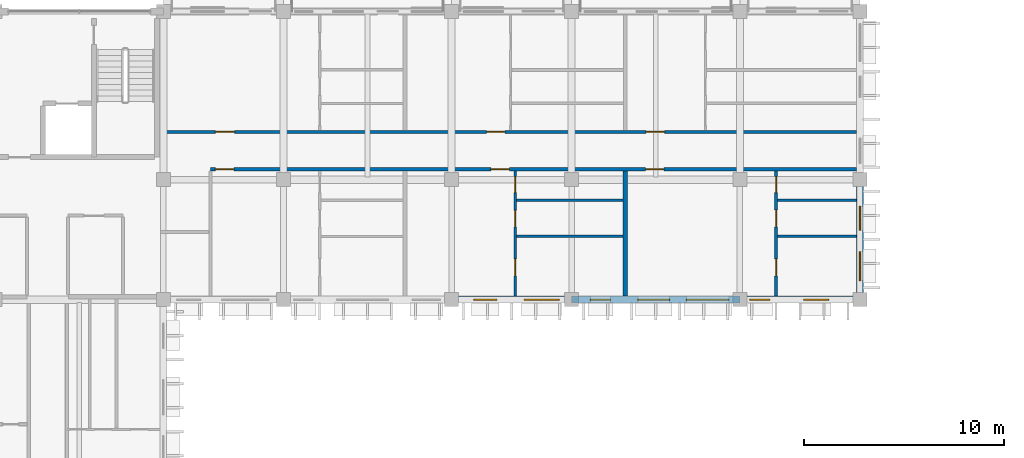
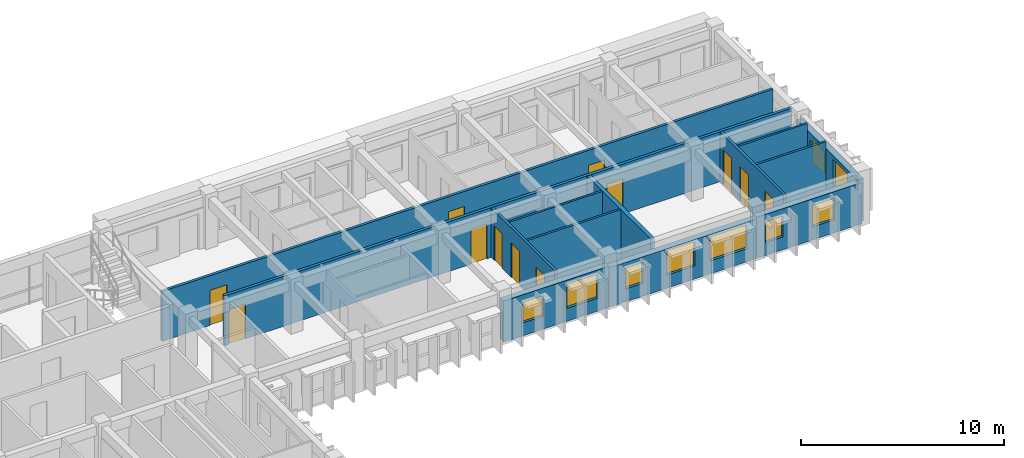
# One storey, part 25 of 70: 13 walls, 12 doors, 9 windows, 21 openings.
"""IFC4 building model written with IfcOpenShell, lengths in metres."""

from ifc_helpers import new_model, si_unit, direction, frame, frame_2d, origin, place, context, subcontext, project, spatial, rectangle, extrude, material, layer, layer_set, type_object, element, fill, save


model = new_model("IFC4")

# Units and contexts
model_context = context("Model", 3, precision=1e-05, world=origin(), true_north=direction((0.0, 1.0)))
body_context = subcontext(model_context, "Body", "Model", "MODEL_VIEW")
ifc_project = project(units=[si_unit("LENGTHUNIT", "METRE"), si_unit("AREAUNIT", "SQUARE_METRE"), si_unit("VOLUMEUNIT", "CUBIC_METRE"), si_unit("PLANEANGLEUNIT", "RADIAN"), si_unit("MASSUNIT", "GRAM", prefix="KILO"), si_unit("THERMODYNAMICTEMPERATUREUNIT", "KELVIN")], contexts=[model_context])

# Site, building, storey
site_placement = place(None, origin())
site = spatial("IfcSite", under=ifc_project, at=site_placement, CompositionType="ELEMENT")
building_placement = place(site_placement, origin())
building = spatial("IfcBuilding", under=site, at=building_placement, Name="Thalorik Housing Commons", CompositionType="ELEMENT")
storey_placement = place(building_placement, frame((0.0, 0.0, 14.699951171875)))
storey = spatial("IfcBuildingStorey", under=building, at=storey_placement, Name="L04", CompositionType="ELEMENT", Elevation=14.699951171875)

# Wall, openings, doors
ifc_material_1 = material(Name="Masonry fire-rated corridor wall", Category="masonry")
ifc_layer_1 = layer(ifc_material_1, 0.14990234375, Name="Masonry fire-rated corridor wall", Category="masonry")
ifc_layer_set_1 = layer_set([ifc_layer_1], Name="Masonry fire-rated corridor wall")
wall_type_1 = type_object("IfcWallType", Name="ARC-WAL-CORR-150", PredefinedType="PARTITIONING", material=ifc_layer_set_1)
wall_1_placement = place(storey_placement, frame((22.659912109375, 117.580078125, 0.0), z_axis=(0.0, 0.0, 1.0), x_axis=(1.0, 0.0, 0.0)))
wall_1 = element("IfcWall", 1, at=wall_1_placement, inside=storey, type_object=wall_type_1, Name="L04 Block A N Corridor Wall 2", PredefinedType="PARTITIONING", context=body_context, shape_type="SweptSolid", body=[
    extrude(rectangle(XDim=34.76318359375, YDim=0.14990234375, at=frame_2d((17.381591796875, 0.0))), origin(), (0.0, 0.0, 1.0), 3.0),
])
opening_1_placement = place(wall_1_placement, frame((2.739990234375, 0.0, 0.0)))
opening_1 = element("IfcOpeningElement", 2, at=opening_1_placement, cuts=wall_1, Name="Opening ID-0570", PredefinedType="OPENING", context=body_context, shape_type="SweptSolid", body=[
    extrude(rectangle(XDim=0.9599609375, YDim=2.1201171875, at=frame_2d((0.47998046875, 1.06005859375))), frame((0.0, 0.0849609375, 0.0), z_axis=(0.0, -1.0, 0.0), x_axis=(1.0, 0.0, 0.0)), (0.0, 0.0, 1.0), 0.169921875),
])
opening_2_placement = place(wall_1_placement, frame((16.284912109375, 0.0, 0.0)))
opening_2 = element("IfcOpeningElement", 3, at=opening_2_placement, cuts=wall_1, Name="Opening ID-0571", PredefinedType="OPENING", context=body_context, shape_type="SweptSolid", body=[
    extrude(rectangle(XDim=0.919921875, YDim=2.10009765625, at=frame_2d((0.4599609375, 1.050048828125))), frame((0.0, 0.0849609375, 0.0), z_axis=(0.0, -1.0, 0.0), x_axis=(1.0, 0.0, 0.0)), (0.0, 0.0, 1.0), 0.169921875),
])
opening_3_placement = place(wall_1_placement, frame((24.2626953125, 0.0, 0.0)))
opening_3 = element("IfcOpeningElement", 4, at=opening_3_placement, cuts=wall_1, Name="Opening ID-0572", PredefinedType="OPENING", context=body_context, shape_type="SweptSolid", body=[
    extrude(rectangle(XDim=0.919921875, YDim=2.10009765625, at=frame_2d((0.4599609375, 1.050048828125))), frame((0.0, 0.0849609375, 0.0), z_axis=(0.0, -1.0, 0.0), x_axis=(1.0, 0.0, 0.0)), (0.0, 0.0, 1.0), 0.169921875),
])
ifc_material_2 = material(Name="Solid core hardwood timber", Category="wood")
door_type_1 = type_object("IfcDoorType", Name="ARC-DR-FD30-920", OperationType="NOTDEFINED", PredefinedType="DOOR", material=ifc_material_2)
door_1_placement = place(opening_2_placement, origin())
door_1 = element("IfcDoor", 5, at=door_1_placement, inside=storey, type_object=door_type_1, Name="L04 Flat AN-2B Entrance Door", OperationType="SINGLE_SWING_RIGHT", OverallHeight=2.10009765625, OverallWidth=0.919921875, PredefinedType="DOOR", context=body_context, shape_type="SweptSolid", body=[
    extrude(rectangle(XDim=0.919921875, YDim=2.10009765625, at=frame_2d((0.4599609375, 1.050048828125))), frame((0.0, 0.02490234375, 0.0), z_axis=(0.0, -1.0, 0.0), x_axis=(1.0, 0.0, 0.0)), (0.0, 0.0, 1.0), 0.050048828125),
])
fill(opening_2, door_1)
door_2_placement = place(opening_3_placement, origin())
door_2 = element("IfcDoor", 6, at=door_2_placement, inside=storey, type_object=door_type_1, Name="L04 Flat AN-3B Entrance Door", OperationType="SINGLE_SWING_LEFT", OverallHeight=2.10009765625, OverallWidth=0.919921875, PredefinedType="DOOR", context=body_context, shape_type="SweptSolid", body=[
    extrude(rectangle(XDim=0.919921875, YDim=2.10009765625, at=frame_2d((0.4599609375, 1.050048828125))), frame((0.0, 0.02490234375, 0.0), z_axis=(0.0, -1.0, 0.0), x_axis=(1.0, 0.0, 0.0)), (0.0, 0.0, 1.0), 0.050048828125),
])
fill(opening_3, door_2)
door_type_2 = type_object("IfcDoorType", Name="ARC-DR-FD30-960", OperationType="NOTDEFINED", PredefinedType="DOOR", material=ifc_material_2)
door_3_placement = place(opening_1_placement, origin())
door_3 = element("IfcDoor", 7, at=door_3_placement, inside=storey, type_object=door_type_2, Name="L04 Flat AN-1B Entrance Door", OperationType="SINGLE_SWING_LEFT", OverallHeight=2.1201171875, OverallWidth=0.9599609375, PredefinedType="DOOR", context=body_context, shape_type="SweptSolid", body=[
    extrude(rectangle(XDim=0.9599609375, YDim=2.1201171875, at=frame_2d((0.47998046875, 1.06005859375))), frame((0.0, 0.02490234375, 0.0), z_axis=(0.0, -1.0, 0.0), x_axis=(1.0, 0.0, 0.0)), (0.0, 0.0, 1.0), 0.050048828125),
])
fill(opening_1, door_3)

ifc_layer_2 = layer(ifc_material_1, 0.1650390625, Name="Masonry fire-rated corridor wall", Category="masonry")
ifc_layer_set_2 = layer_set([ifc_layer_2], Name="Masonry fire-rated corridor wall")
wall_type_2 = type_object("IfcWallType", Name="ARC-WAL-CORR-165", PredefinedType="PARTITIONING", material=ifc_layer_set_2)
wall_2_placement = place(storey_placement, frame((25.14990234375, 115.719970703125, 0.0), z_axis=(0.0, 0.0, 1.0), x_axis=(1.0, 0.0, 0.0)))
wall_2 = element("IfcWall", 8, at=wall_2_placement, inside=storey, type_object=wall_type_2, Name="L04 Block A N Corridor Wall 1", PredefinedType="PARTITIONING", context=body_context, shape_type="SweptSolid", body=[
    extrude(rectangle(XDim=32.273193359375, YDim=0.1650390625, at=frame_2d((16.13671875, 0.0))), origin(), (0.0, 0.0, 1.0), 3.0),
])
opening_4_placement = place(wall_2_placement, frame((0.25, 0.0, 0.0)))
opening_4 = element("IfcOpeningElement", 9, at=opening_4_placement, cuts=wall_2, Name="Opening ID-0567", PredefinedType="OPENING", context=body_context, shape_type="SweptSolid", body=[
    extrude(rectangle(XDim=0.919921875, YDim=2.10009765625, at=frame_2d((0.4599609375, 1.050048828125))), frame((0.0, 0.092529296875, 0.0), z_axis=(0.0, -1.0, 0.0), x_axis=(1.0, 0.0, 0.0)), (0.0, 0.0, 1.0), 0.18505859375),
])
opening_5_placement = place(wall_2_placement, frame((14.014892578125, 0.0, 0.0)))
opening_5 = element("IfcOpeningElement", 10, at=opening_5_placement, cuts=wall_2, Name="Opening ID-0568", PredefinedType="OPENING", context=body_context, shape_type="SweptSolid", body=[
    extrude(rectangle(XDim=0.919921875, YDim=2.10009765625, at=frame_2d((0.4599609375, 1.050048828125))), frame((0.0, 0.092529296875, 0.0), z_axis=(0.0, -1.0, 0.0), x_axis=(1.0, 0.0, 0.0)), (0.0, 0.0, 1.0), 0.18505859375),
])
opening_6_placement = place(wall_2_placement, frame((21.73876953125, 0.0, 0.0)))
opening_6 = element("IfcOpeningElement", 11, at=opening_6_placement, cuts=wall_2, Name="Opening ID-0569", PredefinedType="OPENING", context=body_context, shape_type="SweptSolid", body=[
    extrude(rectangle(XDim=0.919921875, YDim=2.10009765625, at=frame_2d((0.4599609375, 1.050048828125))), frame((0.0, 0.092529296875, 0.0), z_axis=(0.0, -1.0, 0.0), x_axis=(1.0, 0.0, 0.0)), (0.0, 0.0, 1.0), 0.18505859375),
])
door_4_placement = place(opening_4_placement, origin())
door_4 = element("IfcDoor", 12, at=door_4_placement, inside=storey, type_object=door_type_1, Name="L04 Flat AN-1A Entrance Door", OperationType="SINGLE_SWING_RIGHT", OverallHeight=2.10009765625, OverallWidth=0.919921875, PredefinedType="DOOR", context=body_context, shape_type="SweptSolid", body=[
    extrude(rectangle(XDim=0.919921875, YDim=2.10009765625, at=frame_2d((0.4599609375, 1.050048828125))), frame((0.0, 0.02490234375, 0.0), z_axis=(0.0, -1.0, 0.0), x_axis=(1.0, 0.0, 0.0)), (0.0, 0.0, 1.0), 0.050048828125),
])
fill(opening_4, door_4)
door_5_placement = place(opening_5_placement, origin())
door_5 = element("IfcDoor", 13, at=door_5_placement, inside=storey, type_object=door_type_1, Name="L04 Flat AN-2A Entrance Door", OperationType="SINGLE_SWING_LEFT", OverallHeight=2.10009765625, OverallWidth=0.919921875, PredefinedType="DOOR", context=body_context, shape_type="SweptSolid", body=[
    extrude(rectangle(XDim=0.919921875, YDim=2.10009765625, at=frame_2d((0.4599609375, 1.050048828125))), frame((0.0, 0.02490234375, 0.0), z_axis=(0.0, -1.0, 0.0), x_axis=(1.0, 0.0, 0.0)), (0.0, 0.0, 1.0), 0.050048828125),
])
fill(opening_5, door_5)
door_6_placement = place(opening_6_placement, origin())
door_6 = element("IfcDoor", 14, at=door_6_placement, inside=storey, type_object=door_type_1, Name="L04 Flat AN-3A Entrance Door", OperationType="SINGLE_SWING_RIGHT", OverallHeight=2.10009765625, OverallWidth=0.919921875, PredefinedType="DOOR", context=body_context, shape_type="SweptSolid", body=[
    extrude(rectangle(XDim=0.919921875, YDim=2.10009765625, at=frame_2d((0.4599609375, 1.050048828125))), frame((0.0, 0.02490234375, 0.0), z_axis=(0.0, -1.0, 0.0), x_axis=(1.0, 0.0, 0.0)), (0.0, 0.0, 1.0), 0.050048828125),
])
fill(opening_6, door_6)

# Wall, openings, windows
ifc_material_3 = material(Name="White precast concrete C40/50", Category="concrete")
ifc_layer_3 = layer(ifc_material_3, 0.35009765625, Name="White precast concrete C40/50", Category="concrete")
ifc_layer_set_3 = layer_set([ifc_layer_3], Name="White precast concrete C40/50")
wall_type_3 = type_object("IfcWallType", Name="ARC-WAL-EXT-350", PredefinedType="STANDARD", material=ifc_layer_set_3)
wall_3_placement = place(storey_placement, frame((37.199951171875, 109.199951171875, 0.0), z_axis=(0.0, 0.0, 1.0), x_axis=(1.0, 0.0, 0.0)))
wall_3 = element("IfcWall", 15, at=wall_3_placement, inside=storey, type_object=wall_type_3, Name="L04 Exterior Wall WAL-EXT-L04-A-0115", PredefinedType="STANDARD", context=body_context, shape_type="SweptSolid", body=[
    extrude(rectangle(XDim=6.0, YDim=0.35009765625, at=frame_2d((3.0, 0.0))), origin(), (0.0, 0.0, 1.0), 2.47509765625),
])
opening_7_placement = place(wall_3_placement, frame((1.107421875, 0.0, 0.780029296875)))
opening_7 = element("IfcOpeningElement", 16, at=opening_7_placement, cuts=wall_3, Name="Opening W-45", PredefinedType="OPENING", context=body_context, shape_type="SweptSolid", body=[
    extrude(rectangle(XDim=1.14990234375, YDim=1.25, at=frame_2d((0.574951171875, 0.625))), frame((0.0, 0.18505859375, 0.0), z_axis=(0.0, -1.0, 0.0), x_axis=(1.0, 0.0, 0.0)), (0.0, 0.0, 1.0), 0.3701171875),
])
opening_8_placement = place(wall_3_placement, frame((3.617431640625, 0.0, 0.780029296875)))
opening_8 = element("IfcOpeningElement", 17, at=opening_8_placement, cuts=wall_3, Name="Opening W-17", PredefinedType="OPENING", context=body_context, shape_type="SweptSolid", body=[
    extrude(rectangle(XDim=1.75, YDim=1.449951171875, at=frame_2d((0.875, 0.72509765625))), frame((0.0, 0.18505859375, 0.0), z_axis=(0.0, -1.0, 0.0), x_axis=(1.0, 0.0, 0.0)), (0.0, 0.0, 1.0), 0.3701171875),
])
ifc_material_4 = material(Name="Anodised aluminium and solar-control low-E glass", Category="aluminium")
window_type_1 = type_object("IfcWindowType", Name="ARC-WIN-17", PartitioningType="DOUBLE_PANEL_VERTICAL", PredefinedType="WINDOW", material=ifc_material_4)
window_1_placement = place(opening_8_placement, origin())
window_1 = element("IfcWindow", 18, at=window_1_placement, inside=storey, type_object=window_type_1, Name="L04 Facade Window 204", OverallHeight=1.449951171875, OverallWidth=1.75, PartitioningType="DOUBLE_PANEL_VERTICAL", PredefinedType="WINDOW", context=body_context, shape_type="SweptSolid", body=[
    extrude(rectangle(XDim=1.75, YDim=1.449951171875, at=frame_2d((0.875, 0.72509765625))), frame((0.0, 0.030029296875, 0.0), z_axis=(0.0, -1.0, 0.0), x_axis=(1.0, 0.0, 0.0)), (0.0, 0.0, 1.0), 0.06005859375),
])
fill(opening_8, window_1)
window_type_2 = type_object("IfcWindowType", Name="ARC-WIN-45", PartitioningType="SINGLE_PANEL", PredefinedType="WINDOW", material=ifc_material_4)
window_2_placement = place(opening_7_placement, origin())
window_2 = element("IfcWindow", 19, at=window_2_placement, inside=storey, type_object=window_type_2, Name="L04 Facade Window 203", OverallHeight=1.25, OverallWidth=1.14990234375, PartitioningType="SINGLE_PANEL", PredefinedType="WINDOW", context=body_context, shape_type="SweptSolid", body=[
    extrude(rectangle(XDim=1.14990234375, YDim=1.25, at=frame_2d((0.574951171875, 0.625))), frame((0.0, 0.030029296875, 0.0), z_axis=(0.0, -1.0, 0.0), x_axis=(1.0, 0.0, 0.0)), (0.0, 0.0, 1.0), 0.06005859375),
])
fill(opening_7, window_2)

wall_4_placement = place(storey_placement, frame((43.199951171875, 109.199951171875, 0.0), z_axis=(0.0, 0.0, 1.0), x_axis=(1.0, 0.0, 0.0)))
wall_4 = element("IfcWall", 20, at=wall_4_placement, inside=storey, type_object=wall_type_3, Name="L04 Exterior Wall WAL-EXT-L04-A-0116", PredefinedType="STANDARD", context=body_context, shape_type="SweptSolid", body=[
    extrude(rectangle(XDim=8.400146484375, YDim=0.35009765625, at=frame_2d((4.2001953125, 0.0))), origin(), (0.0, 0.0, 1.0), 2.375),
])
opening_9_placement = place(wall_4_placement, frame((0.93505859375, 0.0, 0.780029296875)))
opening_9 = element("IfcOpeningElement", 21, at=opening_9_placement, cuts=wall_4, Name="Opening W-02", PredefinedType="OPENING", context=body_context, shape_type="SweptSolid", body=[
    extrude(rectangle(XDim=1.0, YDim=1.25, at=frame_2d((0.5, 0.625))), frame((0.0, 0.18505859375, 0.0), z_axis=(0.0, -1.0, 0.0), x_axis=(1.0, 0.0, 0.0)), (0.0, 0.0, 1.0), 0.3701171875),
])
opening_10_placement = place(wall_4_placement, frame((3.3076171875, 0.0, 0.780029296875)))
opening_10 = element("IfcOpeningElement", 22, at=opening_10_placement, cuts=wall_4, Name="Opening W-53", PredefinedType="OPENING", context=body_context, shape_type="SweptSolid", body=[
    extrude(rectangle(XDim=1.580078125, YDim=1.47998046875, at=frame_2d((0.7900390625, 0.739990234375))), frame((0.0, 0.18505859375, 0.0), z_axis=(0.0, -1.0, 0.0), x_axis=(1.0, 0.0, 0.0)), (0.0, 0.0, 1.0), 0.3701171875),
])
opening_11_placement = place(wall_4_placement, frame((5.732421875, 0.0, 0.780029296875)))
opening_11 = element("IfcOpeningElement", 23, at=opening_11_placement, cuts=wall_4, Name="Opening W-64", PredefinedType="OPENING", context=body_context, shape_type="SweptSolid", body=[
    extrude(rectangle(XDim=2.1201171875, YDim=1.43994140625, at=frame_2d((1.06005859375, 0.719970703125))), frame((0.0, 0.18505859375, 0.0), z_axis=(0.0, -1.0, 0.0), x_axis=(1.0, 0.0, 0.0)), (0.0, 0.0, 1.0), 0.3701171875),
])
window_type_3 = type_object("IfcWindowType", Name="ARC-WIN-02", PartitioningType="SINGLE_PANEL", PredefinedType="WINDOW", material=ifc_material_4)
window_3_placement = place(opening_9_placement, origin())
window_3 = element("IfcWindow", 24, at=window_3_placement, inside=storey, type_object=window_type_3, Name="L04 Facade Window 205", OverallHeight=1.25, OverallWidth=1.0, PartitioningType="SINGLE_PANEL", PredefinedType="WINDOW", context=body_context, shape_type="SweptSolid", body=[
    extrude(rectangle(XDim=1.0, YDim=1.25, at=frame_2d((0.5, 0.625))), frame((0.0, 0.030029296875, 0.0), z_axis=(0.0, -1.0, 0.0), x_axis=(1.0, 0.0, 0.0)), (0.0, 0.0, 1.0), 0.06005859375),
])
fill(opening_9, window_3)
window_type_4 = type_object("IfcWindowType", Name="ARC-WIN-53", PartitioningType="SINGLE_PANEL", PredefinedType="WINDOW", material=ifc_material_4)
window_4_placement = place(opening_10_placement, origin())
window_4 = element("IfcWindow", 25, at=window_4_placement, inside=storey, type_object=window_type_4, Name="L04 Facade Window 206", OverallHeight=1.47998046875, OverallWidth=1.580078125, PartitioningType="SINGLE_PANEL", PredefinedType="WINDOW", context=body_context, shape_type="SweptSolid", body=[
    extrude(rectangle(XDim=1.580078125, YDim=1.47998046875, at=frame_2d((0.7900390625, 0.739990234375))), frame((0.0, 0.030029296875, 0.0), z_axis=(0.0, -1.0, 0.0), x_axis=(1.0, 0.0, 0.0)), (0.0, 0.0, 1.0), 0.06005859375),
])
fill(opening_10, window_4)
window_type_5 = type_object("IfcWindowType", Name="ARC-WIN-64", PartitioningType="DOUBLE_PANEL_VERTICAL", PredefinedType="WINDOW", material=ifc_material_4)
window_5_placement = place(opening_11_placement, origin())
window_5 = element("IfcWindow", 26, at=window_5_placement, inside=storey, type_object=window_type_5, Name="L04 Facade Window 207", OverallHeight=1.43994140625, OverallWidth=2.1201171875, PartitioningType="DOUBLE_PANEL_VERTICAL", PredefinedType="WINDOW", context=body_context, shape_type="SweptSolid", body=[
    extrude(rectangle(XDim=2.1201171875, YDim=1.43994140625, at=frame_2d((1.06005859375, 0.719970703125))), frame((0.0, 0.030029296875, 0.0), z_axis=(0.0, -1.0, 0.0), x_axis=(1.0, 0.0, 0.0)), (0.0, 0.0, 1.0), 0.06005859375),
])
fill(opening_11, window_5)

wall_5_placement = place(storey_placement, frame((51.60009765625, 109.199951171875, 0.0), z_axis=(0.0, 0.0, 1.0), x_axis=(1.0, 0.0, 0.0)))
wall_5 = element("IfcWall", 27, at=wall_5_placement, inside=storey, type_object=wall_type_3, Name="L04 Exterior Wall WAL-EXT-L04-A-0117", PredefinedType="STANDARD", context=body_context, shape_type="SweptSolid", body=[
    extrude(rectangle(XDim=6.0, YDim=0.35009765625, at=frame_2d((3.0, 0.0))), origin(), (0.0, 0.0, 1.0), 2.47509765625),
])
opening_12_placement = place(wall_5_placement, frame((0.5, 0.0, 0.780029296875)))
opening_12 = element("IfcOpeningElement", 28, at=opening_12_placement, cuts=wall_5, Name="Opening W-02", PredefinedType="OPENING", context=body_context, shape_type="SweptSolid", body=[
    extrude(rectangle(XDim=1.0, YDim=1.25, at=frame_2d((0.5, 0.625))), frame((0.0, 0.18505859375, 0.0), z_axis=(0.0, -1.0, 0.0), x_axis=(1.0, 0.0, 0.0)), (0.0, 0.0, 1.0), 0.3701171875),
])
opening_13_placement = place(wall_5_placement, frame((3.18505859375, 0.0, 0.780029296875)))
opening_13 = element("IfcOpeningElement", 29, at=opening_13_placement, cuts=wall_5, Name="Opening W-46", PredefinedType="OPENING", context=body_context, shape_type="SweptSolid", body=[
    extrude(rectangle(XDim=1.25, YDim=1.300048828125, at=frame_2d((0.625, 0.64990234375))), frame((0.0, 0.18505859375, 0.0), z_axis=(0.0, -1.0, 0.0), x_axis=(1.0, 0.0, 0.0)), (0.0, 0.0, 1.0), 0.3701171875),
])
window_6_placement = place(opening_12_placement, origin())
window_6 = element("IfcWindow", 30, at=window_6_placement, inside=storey, type_object=window_type_3, Name="L04 Facade Window 208", OverallHeight=1.25, OverallWidth=1.0, PartitioningType="SINGLE_PANEL", PredefinedType="WINDOW", context=body_context, shape_type="SweptSolid", body=[
    extrude(rectangle(XDim=1.0, YDim=1.25, at=frame_2d((0.5, 0.625))), frame((0.0, 0.030029296875, 0.0), z_axis=(0.0, -1.0, 0.0), x_axis=(1.0, 0.0, 0.0)), (0.0, 0.0, 1.0), 0.06005859375),
])
fill(opening_12, window_6)
window_type_6 = type_object("IfcWindowType", Name="ARC-WIN-46", PartitioningType="SINGLE_PANEL", PredefinedType="WINDOW", material=ifc_material_4)
window_7_placement = place(opening_13_placement, origin())
window_7 = element("IfcWindow", 31, at=window_7_placement, inside=storey, type_object=window_type_6, Name="L04 Facade Window 209", OverallHeight=1.300048828125, OverallWidth=1.25, PartitioningType="SINGLE_PANEL", PredefinedType="WINDOW", context=body_context, shape_type="SweptSolid", body=[
    extrude(rectangle(XDim=1.25, YDim=1.300048828125, at=frame_2d((0.625, 0.64990234375))), frame((0.0, 0.030029296875, 0.0), z_axis=(0.0, -1.0, 0.0), x_axis=(1.0, 0.0, 0.0)), (0.0, 0.0, 1.0), 0.06005859375),
])
fill(opening_13, window_7)

wall_6_placement = place(storey_placement, frame((57.60009765625, 109.199951171875, 0.0), z_axis=(0.0, 0.0, 1.0), x_axis=(0.0, 1.0, 0.0)))
wall_6 = element("IfcWall", 32, at=wall_6_placement, inside=storey, type_object=wall_type_3, Name="L04 Exterior Wall WAL-EXT-L04-A-0118", PredefinedType="STANDARD", context=body_context, shape_type="SweptSolid", body=[
    extrude(rectangle(XDim=6.0, YDim=0.35009765625, at=frame_2d((3.0, 0.0))), origin(), (0.0, 0.0, 1.0), 2.574951171875),
])
opening_14_placement = place(wall_6_placement, frame((0.950439453125, 0.0, 0.780029296875)))
opening_14 = element("IfcOpeningElement", 33, at=opening_14_placement, cuts=wall_6, Name="Opening W-09", PredefinedType="OPENING", context=body_context, shape_type="SweptSolid", body=[
    extrude(rectangle(XDim=1.449951171875, YDim=1.60009765625, at=frame_2d((0.72509765625, 0.800048828125))), frame((0.0, 0.18505859375, 0.0), z_axis=(0.0, -1.0, 0.0), x_axis=(1.0, 0.0, 0.0)), (0.0, 0.0, 1.0), 0.3701171875),
])
opening_15_placement = place(wall_6_placement, frame((3.465087890625, 0.0, 0.780029296875)))
opening_15 = element("IfcOpeningElement", 34, at=opening_15_placement, cuts=wall_6, Name="Opening W-04", PredefinedType="OPENING", context=body_context, shape_type="SweptSolid", body=[
    extrude(rectangle(XDim=1.199951171875, YDim=1.35009765625, at=frame_2d((0.60009765625, 0.675048828125))), frame((0.0, 0.18505859375, 0.0), z_axis=(0.0, -1.0, 0.0), x_axis=(1.0, 0.0, 0.0)), (0.0, 0.0, 1.0), 0.3701171875),
])
window_type_7 = type_object("IfcWindowType", Name="ARC-WIN-04", PartitioningType="SINGLE_PANEL", PredefinedType="WINDOW", material=ifc_material_4)
window_8_placement = place(opening_15_placement, origin())
window_8 = element("IfcWindow", 35, at=window_8_placement, inside=storey, type_object=window_type_7, Name="L04 Facade Window 211", OverallHeight=1.35009765625, OverallWidth=1.199951171875, PartitioningType="SINGLE_PANEL", PredefinedType="WINDOW", context=body_context, shape_type="SweptSolid", body=[
    extrude(rectangle(XDim=1.199951171875, YDim=1.35009765625, at=frame_2d((0.60009765625, 0.675048828125))), frame((0.0, 0.030029296875, 0.0), z_axis=(0.0, -1.0, 0.0), x_axis=(1.0, 0.0, 0.0)), (0.0, 0.0, 1.0), 0.06005859375),
])
fill(opening_15, window_8)
window_type_8 = type_object("IfcWindowType", Name="ARC-WIN-09", PartitioningType="SINGLE_PANEL", PredefinedType="WINDOW", material=ifc_material_4)
window_9_placement = place(opening_14_placement, origin())
window_9 = element("IfcWindow", 36, at=window_9_placement, inside=storey, type_object=window_type_8, Name="L04 Facade Window 210", OverallHeight=1.60009765625, OverallWidth=1.449951171875, PartitioningType="SINGLE_PANEL", PredefinedType="WINDOW", context=body_context, shape_type="SweptSolid", body=[
    extrude(rectangle(XDim=1.449951171875, YDim=1.60009765625, at=frame_2d((0.72509765625, 0.800048828125))), frame((0.0, 0.030029296875, 0.0), z_axis=(0.0, -1.0, 0.0), x_axis=(1.0, 0.0, 0.0)), (0.0, 0.0, 1.0), 0.06005859375),
])
fill(opening_14, window_9)

# Walls
ifc_material_5 = material(Name="Gypsum moisture-resistant partition", Category="masonry")
ifc_layer_4 = layer(ifc_material_5, 0.114990234375, Name="Gypsum moisture-resistant partition", Category="masonry")
ifc_layer_set_4 = layer_set([ifc_layer_4], Name="Gypsum moisture-resistant partition")
wall_type_4 = type_object("IfcWallType", Name="ARC-WAL-PART-115", PredefinedType="PARTITIONING", material=ifc_layer_set_4)
wall_7_placement = place(storey_placement, frame((40.447021484375, 114.169677734375, 0.0), z_axis=(0.0, 0.0, 1.0), x_axis=(1.0, 0.0, 0.0)))
element("IfcWall", 37, at=wall_7_placement, inside=storey, type_object=wall_type_4, Name="L04 Unit 2 Wet Wall", PredefinedType="PARTITIONING", context=body_context, shape_type="SweptSolid", body=[
    extrude(rectangle(XDim=5.321044921875, YDim=0.114990234375, at=frame_2d((2.66064453125, 0.0))), origin(), (0.0, 0.0, 1.0), 3.0),
])
wall_8_placement = place(storey_placement, frame((53.48193359375, 114.169677734375, 0.0), z_axis=(0.0, 0.0, 1.0), x_axis=(1.0, 0.0, 0.0)))
element("IfcWall", 38, at=wall_8_placement, inside=storey, type_object=wall_type_4, Name="L04 Unit 3 Wet Wall", PredefinedType="PARTITIONING", context=body_context, shape_type="SweptSolid", body=[
    extrude(rectangle(XDim=3.941162109375, YDim=0.114990234375, at=frame_2d((1.970703125, 0.0))), origin(), (0.0, 0.0, 1.0), 3.0),
])
ifc_material_6 = material(Name="Gypsum acoustic stud partition", Category="masonry")
ifc_layer_5 = layer(ifc_material_6, 0.125, Name="Gypsum acoustic stud partition", Category="masonry")
ifc_layer_set_5 = layer_set([ifc_layer_5], Name="Gypsum acoustic stud partition")
wall_type_5 = type_object("IfcWallType", Name="ARC-WAL-PART-125", PredefinedType="PARTITIONING", material=ifc_layer_set_5)
wall_9_placement = place(storey_placement, frame((40.447021484375, 112.36083984375, 0.0), z_axis=(0.0, 0.0, 1.0), x_axis=(1.0, 0.0, 0.0)))
element("IfcWall", 39, at=wall_9_placement, inside=storey, type_object=wall_type_5, Name="L04 Unit 2 Bedroom Partition", PredefinedType="PARTITIONING", context=body_context, shape_type="SweptSolid", body=[
    extrude(rectangle(XDim=5.321044921875, YDim=0.125, at=frame_2d((2.66064453125, 0.0))), origin(), (0.0, 0.0, 1.0), 3.0),
])
wall_10_placement = place(storey_placement, frame((53.48193359375, 112.36083984375, 0.0), z_axis=(0.0, 0.0, 1.0), x_axis=(1.0, 0.0, 0.0)))
element("IfcWall", 40, at=wall_10_placement, inside=storey, type_object=wall_type_5, Name="L04 Unit 3 Bedroom Partition", PredefinedType="PARTITIONING", context=body_context, shape_type="SweptSolid", body=[
    extrude(rectangle(XDim=3.941162109375, YDim=0.125, at=frame_2d((1.970703125, 0.0))), origin(), (0.0, 0.0, 1.0), 3.0),
])

# Wall, openings, doors
ifc_material_7 = material(Name="Ceramic masonry partition wall", Category="masonry")
ifc_layer_6 = layer(ifc_material_7, 0.139892578125, Name="Ceramic masonry partition wall", Category="masonry")
ifc_layer_set_6 = layer_set([ifc_layer_6], Name="Ceramic masonry partition wall")
wall_type_6 = type_object("IfcWallType", Name="ARC-WAL-PART-140", PredefinedType="PARTITIONING", material=ifc_layer_set_6)
wall_11_placement = place(storey_placement, frame((40.375, 109.376953125, 0.0), z_axis=(0.0, 0.0, 1.0), x_axis=(0.0, 1.0, 0.0)))
wall_11 = element("IfcWall", 41, at=wall_11_placement, inside=storey, type_object=wall_type_6, Name="L04 Unit 2 Spine Partition", PredefinedType="PARTITIONING", context=body_context, shape_type="SweptSolid", body=[
    extrude(rectangle(XDim=6.258544921875, YDim=0.139892578125, at=frame_2d((3.12939453125, 0.0))), origin(), (0.0, 0.0, 1.0), 3.0),
])
opening_16_placement = place(wall_11_placement, frame((1.00830078125, 0.0, 0.0)))
opening_16 = element("IfcOpeningElement", 42, at=opening_16_placement, cuts=wall_11, Name="Opening ID-0555", PredefinedType="OPENING", context=body_context, shape_type="SweptSolid", body=[
    extrude(rectangle(XDim=0.85009765625, YDim=2.10009765625, at=frame_2d((0.425048828125, 1.050048828125))), frame((0.0, 0.080078125, 0.0), z_axis=(0.0, -1.0, 0.0), x_axis=(1.0, 0.0, 0.0)), (0.0, 0.0, 1.0), 0.159912109375),
])
opening_17_placement = place(wall_11_placement, frame((3.463134765625, 0.0, 0.0)))
opening_17 = element("IfcOpeningElement", 43, at=opening_17_placement, cuts=wall_11, Name="Opening ID-0556", PredefinedType="OPENING", context=body_context, shape_type="SweptSolid", body=[
    extrude(rectangle(XDim=0.820068359375, YDim=2.080078125, at=frame_2d((0.41015625, 1.0400390625))), frame((0.0, 0.080078125, 0.0), z_axis=(0.0, -1.0, 0.0), x_axis=(1.0, 0.0, 0.0)), (0.0, 0.0, 1.0), 0.159912109375),
])
opening_18_placement = place(wall_11_placement, frame((5.167724609375, 0.0, 0.0)))
opening_18 = element("IfcOpeningElement", 44, at=opening_18_placement, cuts=wall_11, Name="Opening ID-0557", PredefinedType="OPENING", context=body_context, shape_type="SweptSolid", body=[
    extrude(rectangle(XDim=0.800048828125, YDim=2.10009765625, at=frame_2d((0.39990234375, 1.050048828125))), frame((0.0, 0.080078125, 0.0), z_axis=(0.0, -1.0, 0.0), x_axis=(1.0, 0.0, 0.0)), (0.0, 0.0, 1.0), 0.159912109375),
])
ifc_material_8 = material(Name="Moisture-resistant timber", Category="wood")
door_type_3 = type_object("IfcDoorType", Name="ARC-DR-INT-800", OperationType="NOTDEFINED", PredefinedType="DOOR", material=ifc_material_8)
door_7_placement = place(opening_18_placement, origin())
door_7 = element("IfcDoor", 45, at=door_7_placement, inside=storey, type_object=door_type_3, Name="L04 Flat Bathroom Door", OperationType="SINGLE_SWING_RIGHT", OverallHeight=2.10009765625, OverallWidth=0.800048828125, PredefinedType="DOOR", context=body_context, shape_type="SweptSolid", body=[
    extrude(rectangle(XDim=0.800048828125, YDim=2.10009765625, at=frame_2d((0.39990234375, 1.050048828125))), frame((0.0, 0.02490234375, 0.0), z_axis=(0.0, -1.0, 0.0), x_axis=(1.0, 0.0, 0.0)), (0.0, 0.0, 1.0), 0.050048828125),
])
fill(opening_18, door_7)
ifc_material_9 = material(Name="Engineered oak timber", Category="wood")
door_type_4 = type_object("IfcDoorType", Name="ARC-DR-INT-820", OperationType="NOTDEFINED", PredefinedType="DOOR", material=ifc_material_9)
door_8_placement = place(opening_17_placement, origin())
door_8 = element("IfcDoor", 46, at=door_8_placement, inside=storey, type_object=door_type_4, Name="L04 Eat-In Kitchen Door", OperationType="SINGLE_SWING_LEFT", OverallHeight=2.080078125, OverallWidth=0.820068359375, PredefinedType="DOOR", context=body_context, shape_type="SweptSolid", body=[
    extrude(rectangle(XDim=0.820068359375, YDim=2.080078125, at=frame_2d((0.41015625, 1.0400390625))), frame((0.0, 0.02490234375, 0.0), z_axis=(0.0, -1.0, 0.0), x_axis=(1.0, 0.0, 0.0)), (0.0, 0.0, 1.0), 0.050048828125),
])
fill(opening_17, door_8)
door_type_5 = type_object("IfcDoorType", Name="ARC-DR-INT-850", OperationType="NOTDEFINED", PredefinedType="DOOR", material=ifc_material_9)
door_9_placement = place(opening_16_placement, origin())
door_9 = element("IfcDoor", 47, at=door_9_placement, inside=storey, type_object=door_type_5, Name="L04 Master Bedroom Door", OperationType="SINGLE_SWING_RIGHT", OverallHeight=2.10009765625, OverallWidth=0.85009765625, PredefinedType="DOOR", context=body_context, shape_type="SweptSolid", body=[
    extrude(rectangle(XDim=0.85009765625, YDim=2.10009765625, at=frame_2d((0.425048828125, 1.050048828125))), frame((0.0, 0.02490234375, 0.0), z_axis=(0.0, -1.0, 0.0), x_axis=(1.0, 0.0, 0.0)), (0.0, 0.0, 1.0), 0.050048828125),
])
fill(opening_16, door_9)

wall_12_placement = place(storey_placement, frame((53.409912109375, 109.376953125, 0.0), z_axis=(0.0, 0.0, 1.0), x_axis=(0.0, 1.0, 0.0)))
wall_12 = element("IfcWall", 48, at=wall_12_placement, inside=storey, type_object=wall_type_6, Name="L04 Unit 3 Spine Partition", PredefinedType="PARTITIONING", context=body_context, shape_type="SweptSolid", body=[
    extrude(rectangle(XDim=6.258544921875, YDim=0.139892578125, at=frame_2d((3.12939453125, 0.0))), origin(), (0.0, 0.0, 1.0), 3.0),
])
opening_19_placement = place(wall_12_placement, frame((1.00830078125, 0.0, 0.0)))
opening_19 = element("IfcOpeningElement", 49, at=opening_19_placement, cuts=wall_12, Name="Opening ID-0561", PredefinedType="OPENING", context=body_context, shape_type="SweptSolid", body=[
    extrude(rectangle(XDim=0.85009765625, YDim=2.10009765625, at=frame_2d((0.425048828125, 1.050048828125))), frame((0.0, 0.080078125, 0.0), z_axis=(0.0, -1.0, 0.0), x_axis=(1.0, 0.0, 0.0)), (0.0, 0.0, 1.0), 0.159912109375),
])
opening_20_placement = place(wall_12_placement, frame((3.463134765625, 0.0, 0.0)))
opening_20 = element("IfcOpeningElement", 50, at=opening_20_placement, cuts=wall_12, Name="Opening ID-0562", PredefinedType="OPENING", context=body_context, shape_type="SweptSolid", body=[
    extrude(rectangle(XDim=0.85009765625, YDim=2.10009765625, at=frame_2d((0.425048828125, 1.050048828125))), frame((0.0, 0.080078125, 0.0), z_axis=(0.0, -1.0, 0.0), x_axis=(1.0, 0.0, 0.0)), (0.0, 0.0, 1.0), 0.159912109375),
])
opening_21_placement = place(wall_12_placement, frame((5.167724609375, 0.0, 0.0)))
opening_21 = element("IfcOpeningElement", 51, at=opening_21_placement, cuts=wall_12, Name="Opening ID-0563", PredefinedType="OPENING", context=body_context, shape_type="SweptSolid", body=[
    extrude(rectangle(XDim=0.800048828125, YDim=2.10009765625, at=frame_2d((0.39990234375, 1.050048828125))), frame((0.0, 0.080078125, 0.0), z_axis=(0.0, -1.0, 0.0), x_axis=(1.0, 0.0, 0.0)), (0.0, 0.0, 1.0), 0.159912109375),
])
door_10_placement = place(opening_21_placement, origin())
door_10 = element("IfcDoor", 52, at=door_10_placement, inside=storey, type_object=door_type_3, Name="L04 Accessible Bathroom Door", OperationType="SINGLE_SWING_RIGHT", OverallHeight=2.10009765625, OverallWidth=0.800048828125, PredefinedType="DOOR", context=body_context, shape_type="SweptSolid", body=[
    extrude(rectangle(XDim=0.800048828125, YDim=2.10009765625, at=frame_2d((0.39990234375, 1.050048828125))), frame((0.0, 0.02490234375, 0.0), z_axis=(0.0, -1.0, 0.0), x_axis=(1.0, 0.0, 0.0)), (0.0, 0.0, 1.0), 0.050048828125),
])
fill(opening_21, door_10)
door_11_placement = place(opening_19_placement, origin())
door_11 = element("IfcDoor", 53, at=door_11_placement, inside=storey, type_object=door_type_5, Name="L04 Double Bedroom Door", OperationType="SINGLE_SWING_RIGHT", OverallHeight=2.10009765625, OverallWidth=0.85009765625, PredefinedType="DOOR", context=body_context, shape_type="SweptSolid", body=[
    extrude(rectangle(XDim=0.85009765625, YDim=2.10009765625, at=frame_2d((0.425048828125, 1.050048828125))), frame((0.0, 0.02490234375, 0.0), z_axis=(0.0, -1.0, 0.0), x_axis=(1.0, 0.0, 0.0)), (0.0, 0.0, 1.0), 0.050048828125),
])
fill(opening_19, door_11)
door_12_placement = place(opening_20_placement, origin())
door_12 = element("IfcDoor", 54, at=door_12_placement, inside=storey, type_object=door_type_5, Name="L04 Eat-In Kitchen Door", OperationType="SINGLE_SWING_LEFT", OverallHeight=2.10009765625, OverallWidth=0.85009765625, PredefinedType="DOOR", context=body_context, shape_type="SweptSolid", body=[
    extrude(rectangle(XDim=0.85009765625, YDim=2.10009765625, at=frame_2d((0.425048828125, 1.050048828125))), frame((0.0, 0.02490234375, 0.0), z_axis=(0.0, -1.0, 0.0), x_axis=(1.0, 0.0, 0.0)), (0.0, 0.0, 1.0), 0.050048828125),
])
fill(opening_20, door_12)

# Wall
ifc_material_10 = material(Name="Precast concrete C40/50 acoustic wall", Category="concrete")
ifc_layer_7 = layer(ifc_material_10, 0.219970703125, Name="Precast concrete C40/50 acoustic wall", Category="concrete")
ifc_layer_set_7 = layer_set([ifc_layer_7], Name="Precast concrete C40/50 acoustic wall")
wall_type_7 = type_object("IfcWallType", Name="ARC-WAL-PARTY-220", PredefinedType="PARTITIONING", material=ifc_layer_set_7)
wall_13_placement = place(storey_placement, frame((45.8798828125, 109.376953125, 0.0), z_axis=(0.0, 0.0, 1.0), x_axis=(0.0, 1.0, 0.0)))
element("IfcWall", 55, at=wall_13_placement, inside=storey, type_object=wall_type_7, Name="L04 Inter-Tenancy Wall 2A", PredefinedType="PARTITIONING", context=body_context, shape_type="SweptSolid", body=[
    extrude(rectangle(XDim=6.258544921875, YDim=0.219970703125, at=frame_2d((3.12939453125, 0.0))), origin(), (0.0, 0.0, 1.0), 3.0),
])

save(model, "model.ifc")
